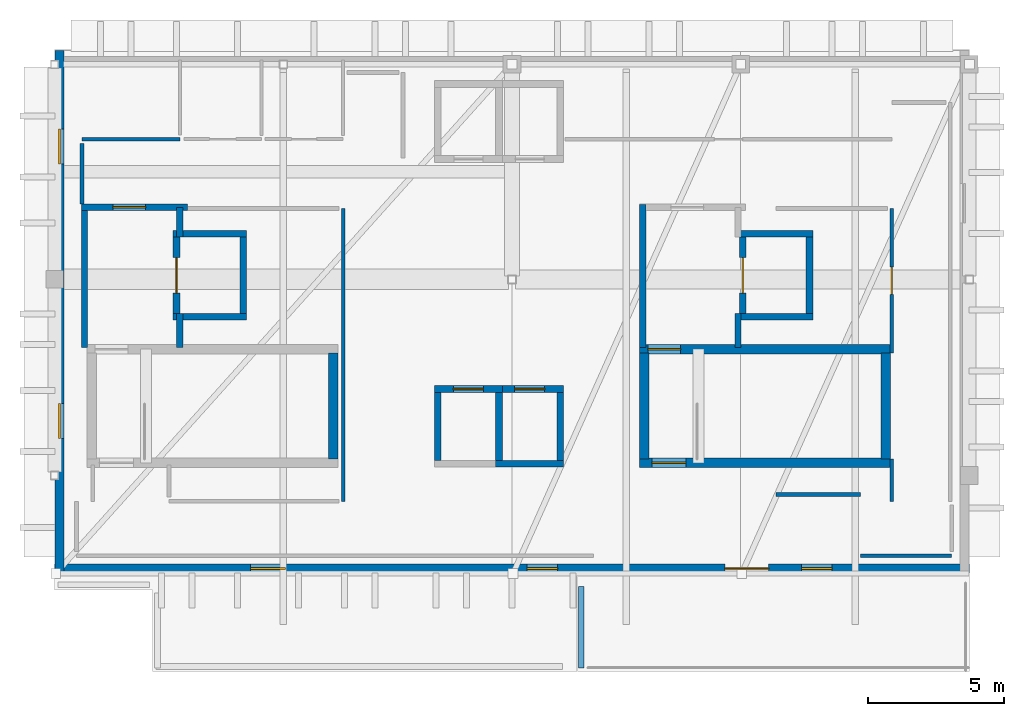
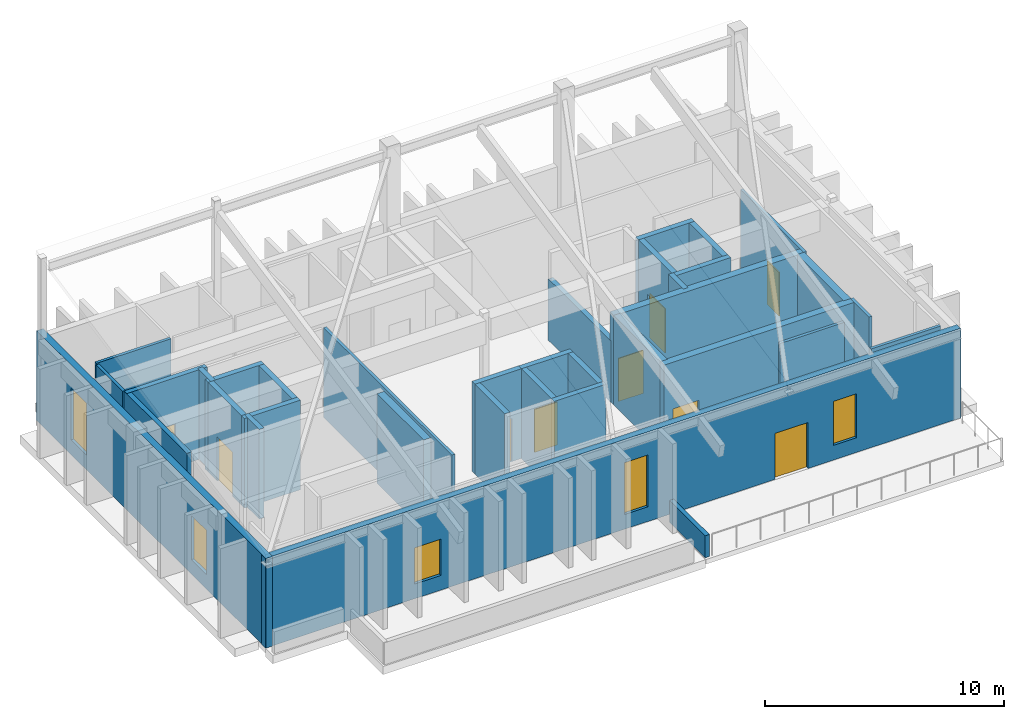
# One storey, part 3 of 5: 35 walls, 9 doors, 5 windows, 14 openings.
"""IFC4 building model written with IfcOpenShell, lengths in metres."""

from ifc_helpers import new_model, si_unit, direction, frame, frame_2d, origin, place, context, subcontext, project, spatial, rectangle, extrude, material, layer, layer_set, type_object, element, fill, save


model = new_model("IFC4")

# Units and contexts
model_context = context("Model", 3, precision=1e-05, world=origin(), true_north=direction((0.0, 1.0)))
body_context = subcontext(model_context, "Body", "Model", "MODEL_VIEW")
ifc_project = project(units=[si_unit("LENGTHUNIT", "METRE"), si_unit("AREAUNIT", "SQUARE_METRE"), si_unit("VOLUMEUNIT", "CUBIC_METRE"), si_unit("PLANEANGLEUNIT", "RADIAN"), si_unit("MASSUNIT", "GRAM", prefix="KILO")], contexts=[model_context])

# Site, building, storey
site_placement = place(None, origin())
site = spatial("IfcSite", under=ifc_project, at=site_placement, CompositionType="ELEMENT")
building_placement = place(site_placement, origin())
building = spatial("IfcBuilding", under=site, at=building_placement, Name="Quendrovan Civic Courthouse", CompositionType="ELEMENT")
storey_placement = place(building_placement, frame((0.0, 0.0, 44.699951171875)))
storey = spatial("IfcBuildingStorey", under=building, at=storey_placement, Name="L10", CompositionType="ELEMENT", Elevation=44.699951171875)

# Wall
ifc_material_1 = material(Name="Acoustic gypsum stud partition")
ifc_layer_1 = layer(ifc_material_1, 0.139892578125, Name="Acoustic gypsum stud partition")
ifc_layer_set_1 = layer_set([ifc_layer_1], Name="Acoustic gypsum stud partition")
wall_type_1 = type_object("IfcWallType", Name="WL-CHM-140", PredefinedType="PARTITIONING", material=ifc_layer_set_1)
wall_1_placement = place(storey_placement, frame((44.199951171875, 104.60009765625, 0.0), z_axis=(0.0, 0.0, 1.0), x_axis=(0.0, -1.0, 0.0)))
element("IfcWall", 1, at=wall_1_placement, inside=storey, type_object=wall_type_1, Name="L10 Presiding Judges' Chambers Partition 0930", PredefinedType="PARTITIONING", context=body_context, shape_type="SweptSolid", body=[
    extrude(rectangle(XDim=10.75, YDim=0.139892578125, at=frame_2d((5.375, 0.0))), origin(), (0.0, 0.0, 1.0), 4.580078125),
])

# Wall, opening, door
wall_2_placement = place(storey_placement, frame((64.35009765625, 104.60009765625, 0.0), z_axis=(0.0, 0.0, 1.0), x_axis=(0.0, -1.0, 0.0)))
wall_2 = element("IfcWall", 2, at=wall_2_placement, inside=storey, type_object=wall_type_1, Name="L10 Presiding Judicial Chambers Suite Partition 0931", PredefinedType="PARTITIONING", context=body_context, shape_type="SweptSolid", body=[
    extrude(rectangle(XDim=5.300048828125, YDim=0.139892578125, at=frame_2d((2.64990234375, 0.0))), origin(), (0.0, 0.0, 1.0), 4.580078125),
])
opening_1_placement = place(wall_2_placement, frame((2.14990234375, 0.0, 0.0)))
opening_1 = element("IfcOpeningElement", 3, at=opening_1_placement, cuts=wall_2, Name="Opening D-L10-133", PredefinedType="OPENING", context=body_context, shape_type="SweptSolid", body=[
    extrude(rectangle(XDim=1.0, YDim=2.219970703125, at=frame_2d((0.5, 1.10986328125))), frame((0.0, 0.080078125, 0.0), z_axis=(0.0, -1.0, 0.0), x_axis=(1.0, 0.0, 0.0)), (0.0, 0.0, 1.0), 0.159912109375),
])
ifc_material_2 = material(Name="Solid Western Red Cedar timber door", Category="wood")
door_type_1 = type_object("IfcDoorType", Name="DR-CHM-1000", OperationType="NOTDEFINED", PredefinedType="DOOR", material=ifc_material_2)
door_1_placement = place(opening_1_placement, origin())
door_1 = element("IfcDoor", 4, at=door_1_placement, inside=storey, type_object=door_type_1, Name="L10 Presiding Judicial Chambers Suite Door D-L10-133", OperationType="SINGLE_SWING_RIGHT", OverallHeight=2.219970703125, OverallWidth=1.0, PredefinedType="DOOR", context=body_context, shape_type="SweptSolid", body=[
    extrude(rectangle(XDim=1.0, YDim=2.219970703125, at=frame_2d((0.5, 1.10986328125))), frame((0.0, 0.02490234375, 0.0), z_axis=(0.0, -1.0, 0.0), x_axis=(1.0, 0.0, 0.0)), (0.0, 0.0, 1.0), 0.050048828125),
])
fill(opening_1, door_1)

# Walls
wall_3_placement = place(storey_placement, frame((64.35009765625, 95.39990234375, 0.0), z_axis=(0.0, 0.0, 1.0), x_axis=(0.0, -1.0, 0.0)))
element("IfcWall", 5, at=wall_3_placement, inside=storey, type_object=wall_type_1, Name="L10 Presiding Judicial Chambers Suite Partition 0932", PredefinedType="PARTITIONING", context=body_context, shape_type="SweptSolid", body=[
    extrude(rectangle(XDim=1.5498046875, YDim=0.139892578125, at=frame_2d((0.77490234375, 0.0))), origin(), (0.0, 0.0, 1.0), 4.580078125),
])
wall_4_placement = place(storey_placement, frame((38.199951171875, 107.14990234375, 0.0), z_axis=(0.0, 0.0, 1.0), x_axis=(-1.0, 0.0, 0.0)))
element("IfcWall", 6, at=wall_4_placement, inside=storey, type_object=wall_type_1, Name="L10 Presiding Judges' Chambers Partition 0936", PredefinedType="PARTITIONING", context=body_context, shape_type="SweptSolid", body=[
    extrude(rectangle(XDim=3.599853515625, YDim=0.139892578125, at=frame_2d((1.7998046875, 0.0))), origin(), (0.0, 0.0, 1.0), 4.580078125),
])
wall_5_placement = place(storey_placement, frame((63.199951171875, 91.85009765625, 0.0), z_axis=(0.0, 0.0, 1.0), x_axis=(1.0, 0.0, 0.0)))
element("IfcWall", 7, at=wall_5_placement, inside=storey, type_object=wall_type_1, Name="L10 Presiding Judges' Chambers Partition 0937", PredefinedType="PARTITIONING", context=body_context, shape_type="SweptSolid", body=[
    extrude(rectangle(XDim=3.35009765625, YDim=0.139892578125, at=frame_2d((1.675048828125, 0.0))), origin(), (0.0, 0.0, 1.0), 4.580078125),
])
wall_6_placement = place(storey_placement, frame((63.199951171875, 94.10009765625, 0.0), z_axis=(0.0, 0.0, 1.0), x_axis=(-1.0, 0.0, 0.0)))
element("IfcWall", 8, at=wall_6_placement, inside=storey, type_object=wall_type_1, Name="L10 Presiding Judicial Chambers Suite Partition 0939", PredefinedType="PARTITIONING", context=body_context, shape_type="SweptSolid", body=[
    extrude(rectangle(XDim=3.099853515625, YDim=0.139892578125, at=frame_2d((1.5498046875, 0.0))), origin(), (0.0, 0.0, 1.0), 4.580078125),
])
wall_7_placement = place(storey_placement, frame((34.60009765625, 107.0, 0.0), z_axis=(0.0, 0.0, 1.0), x_axis=(0.0, -1.0, 0.0)))
element("IfcWall", 9, at=wall_7_placement, inside=storey, type_object=wall_type_1, Name="L10 Presiding Judges' Chambers Partition 0945", PredefinedType="PARTITIONING", context=body_context, shape_type="SweptSolid", body=[
    extrude(rectangle(XDim=2.22998046875, YDim=0.139892578125, at=frame_2d((1.114990234375, 0.0))), origin(), (0.0, 0.0, 1.0), 4.580078125),
])
ifc_material_3 = material(Name="Concrete C45/55", Category="concrete")
ifc_layer_2 = layer(ifc_material_3, 0.35009765625, Name="Concrete C45/55")
ifc_layer_set_2 = layer_set([ifc_layer_2], Name="Concrete C45/55")
wall_type_2 = type_object("IfcWallType", Name="WL-CORE-350", PredefinedType="SHEAR", material=ifc_layer_set_2)
wall_8_placement = place(storey_placement, frame((43.8349609375, 99.300048828125, 0.0), z_axis=(0.0, 0.0, 1.0), x_axis=(0.0, -1.0, 0.0)))
element("IfcWall", 10, at=wall_8_placement, inside=storey, type_object=wall_type_2, Name="L10 Core Shear Wall ST1-E", PredefinedType="SHEAR", context=body_context, shape_type="SweptSolid", body=[
    extrude(rectangle(XDim=3.900146484375, YDim=0.35009765625, at=frame_2d((1.9501953125, 0.0))), origin(), (0.0, 0.0, 1.0), 4.580078125),
])

# Wall, opening, door
wall_9_placement = place(storey_placement, frame((55.090087890625, 95.264892578125, 0.0), z_axis=(0.0, 0.0, 1.0), x_axis=(1.0, 0.0, 0.0)))
wall_9 = element("IfcWall", 11, at=wall_9_placement, inside=storey, type_object=wall_type_2, Name="L10 Core Shear Wall ST2-S", PredefinedType="SHEAR", context=body_context, shape_type="SweptSolid", body=[
    extrude(rectangle(XDim=9.219970703125, YDim=0.35009765625, at=frame_2d((4.60986328125, 0.0))), origin(), (0.0, 0.0, 1.0), 4.580078125),
])
opening_2_placement = place(wall_9_placement, frame((0.449951171875, 0.0, 0.0)))
opening_2 = element("IfcOpeningElement", 12, at=opening_2_placement, cuts=wall_9, Name="Opening DS-ST2-L10", PredefinedType="OPENING", context=body_context, shape_type="SweptSolid", body=[
    extrude(rectangle(XDim=1.25, YDim=2.199951171875, at=frame_2d((0.625, 1.10009765625))), frame((0.0, 0.18505859375, 0.0), z_axis=(0.0, -1.0, 0.0), x_axis=(1.0, 0.0, 0.0)), (0.0, 0.0, 1.0), 0.3701171875),
])
ifc_material_4 = material(Name="Painted galvanized hollow-metal steel", Category="steel")
door_type_2 = type_object("IfcDoorType", Name="DR-STAIR-1250", OperationType="NOTDEFINED", PredefinedType="DOOR", material=ifc_material_4)
door_2_placement = place(opening_2_placement, origin())
door_2 = element("IfcDoor", 13, at=door_2_placement, inside=storey, type_object=door_type_2, Name="L10 Exit Stair ST2 Fire Door", OperationType="SINGLE_SWING_LEFT", OverallHeight=2.199951171875, OverallWidth=1.25, PredefinedType="DOOR", context=body_context, shape_type="SweptSolid", body=[
    extrude(rectangle(XDim=1.25, YDim=2.199951171875, at=frame_2d((0.625, 1.10009765625))), frame((0.0, 0.02490234375, 0.0), z_axis=(0.0, -1.0, 0.0), x_axis=(1.0, 0.0, 0.0)), (0.0, 0.0, 1.0), 0.050048828125),
])
fill(opening_2, door_2)

wall_10_placement = place(storey_placement, frame((64.31005859375, 99.43505859375, 0.0), z_axis=(0.0, 0.0, 1.0), x_axis=(-1.0, 0.0, 0.0)))
wall_10 = element("IfcWall", 14, at=wall_10_placement, inside=storey, type_object=wall_type_2, Name="L10 Core Shear Wall ST2-N", PredefinedType="SHEAR", context=body_context, shape_type="SweptSolid", body=[
    extrude(rectangle(XDim=9.219970703125, YDim=0.35009765625, at=frame_2d((4.60986328125, 0.0))), origin(), (0.0, 0.0, 1.0), 4.580078125),
])
opening_3_placement = place(wall_10_placement, frame((7.719970703125, 0.0, 0.0)))
opening_3 = element("IfcOpeningElement", 15, at=opening_3_placement, cuts=wall_10, Name="Opening DFF-ST2-L10", PredefinedType="OPENING", context=body_context, shape_type="SweptSolid", body=[
    extrude(rectangle(XDim=1.199951171875, YDim=2.199951171875, at=frame_2d((0.60009765625, 1.10009765625))), frame((0.0, 0.18505859375, 0.0), z_axis=(0.0, -1.0, 0.0), x_axis=(1.0, 0.0, 0.0)), (0.0, 0.0, 1.0), 0.3701171875),
])
door_type_3 = type_object("IfcDoorType", Name="DR-FFLOB-1200", OperationType="NOTDEFINED", PredefinedType="DOOR", material=ifc_material_4)
door_3_placement = place(opening_3_placement, origin())
door_3 = element("IfcDoor", 16, at=door_3_placement, inside=storey, type_object=door_type_3, Name="L10 Firefighting Lobby FL2 Direct Stair ST2 Door", OperationType="SINGLE_SWING_RIGHT", OverallHeight=2.199951171875, OverallWidth=1.199951171875, PredefinedType="DOOR", context=body_context, shape_type="SweptSolid", body=[
    extrude(rectangle(XDim=1.199951171875, YDim=2.199951171875, at=frame_2d((0.60009765625, 1.10009765625))), frame((0.0, 0.02490234375, 0.0), z_axis=(0.0, -1.0, 0.0), x_axis=(1.0, 0.0, 0.0)), (0.0, 0.0, 1.0), 0.050048828125),
])
fill(opening_3, door_3)

# Walls
for number, where, z_axis, x_axis, name in (
    (17, (55.264892578125, 95.39990234375, 0.0), (0.0, 0.0, 1.0), (0.0, 1.0, 0.0), "L10 Core Shear Wall ST2-W"),
    (18, (64.135009765625, 99.300048828125, 0.0), (0.0, 0.0, 1.0), (0.0, -1.0, 0.0), "L10 Core Shear Wall ST2-E"),
):
    element("IfcWall", number, at=place(storey_placement, frame(where, z_axis=z_axis, x_axis=x_axis)), inside=storey, type_object=wall_type_2, Name=name, PredefinedType="SHEAR", context=body_context, shape_type="SweptSolid", body=[
        extrude(rectangle(XDim=3.900146484375, YDim=0.35009765625, at=frame_2d((1.9501953125, 0.0))), origin(), (0.0, 0.0, 1.0), 4.580078125),
    ])

# Wall, openings, door, windows
ifc_material_5 = material(Name="Precast concrete C45/55", Category="concrete")
ifc_layer_3 = layer(ifc_material_5, 0.320068359375, Name="Precast concrete C45/55")
ifc_layer_set_3 = layer_set([ifc_layer_3], Name="Precast concrete C45/55")
wall_type_3 = type_object("IfcWallType", Name="WL-EXT-PC320", PredefinedType="SOLIDWALL", material=ifc_layer_set_3)
wall_11_placement = place(storey_placement, frame((67.199951171875, 91.3798828125, 0.0), z_axis=(0.0, 0.0, 1.0), x_axis=(-1.0, 0.0, 0.0)))
wall_11 = element("IfcWall", 19, at=wall_11_placement, inside=storey, type_object=wall_type_3, Name="L10 Exterior Precast Concrete Wall 531", PredefinedType="SOLIDWALL", context=body_context, shape_type="SweptSolid", body=[
    extrude(rectangle(XDim=33.599853515625, YDim=0.320068359375, at=frame_2d((16.7998046875, 0.0))), origin(), (0.0, 0.0, 1.0), 4.580078125),
])
opening_4_placement = place(wall_11_placement, frame((7.377197265625, 0.0, 0.0)))
opening_4 = element("IfcOpeningElement", 20, at=opening_4_placement, cuts=wall_11, Name="Opening DT-L10-1", PredefinedType="OPENING", context=body_context, shape_type="SweptSolid", body=[
    extrude(rectangle(XDim=1.60009765625, YDim=2.35009765625, at=frame_2d((0.800048828125, 1.175048828125))), frame((0.0, 0.169921875, 0.0), z_axis=(0.0, -1.0, 0.0), x_axis=(1.0, 0.0, 0.0)), (0.0, 0.0, 1.0), 0.340087890625),
])
opening_5_placement = place(wall_11_placement, frame((5.0400390625, 0.0, 0.75)))
opening_5 = element("IfcOpeningElement", 21, at=opening_5_placement, cuts=wall_11, Name="Opening W17", PredefinedType="OPENING", context=body_context, shape_type="SweptSolid", body=[
    extrude(rectangle(XDim=1.1201171875, YDim=2.25, at=frame_2d((0.56005859375, 1.125))), frame((0.0, 0.169921875, 0.0), z_axis=(0.0, -1.0, 0.0), x_axis=(1.0, 0.0, 0.0)), (0.0, 0.0, 1.0), 0.340087890625),
])
opening_6_placement = place(wall_11_placement, frame((15.1201171875, 0.0, 0.75)))
opening_6 = element("IfcOpeningElement", 22, at=opening_6_placement, cuts=wall_11, Name="Opening W18", PredefinedType="OPENING", context=body_context, shape_type="SweptSolid", body=[
    extrude(rectangle(XDim=1.1201171875, YDim=2.64990234375, at=frame_2d((0.56005859375, 1.324951171875))), frame((0.0, 0.169921875, 0.0), z_axis=(0.0, -1.0, 0.0), x_axis=(1.0, 0.0, 0.0)), (0.0, 0.0, 1.0), 0.340087890625),
])
opening_7_placement = place(wall_11_placement, frame((25.1201171875, 0.0, 0.75)))
opening_7 = element("IfcOpeningElement", 23, at=opening_7_placement, cuts=wall_11, Name="Opening W21", PredefinedType="OPENING", context=body_context, shape_type="SweptSolid", body=[
    extrude(rectangle(XDim=1.280029296875, YDim=1.85009765625, at=frame_2d((0.64013671875, 0.925048828125))), frame((0.0, 0.169921875, 0.0), z_axis=(0.0, -1.0, 0.0), x_axis=(1.0, 0.0, 0.0)), (0.0, 0.0, 1.0), 0.340087890625),
])
ifc_material_6 = material(Name="Bronze anodised aluminium and low-E glass", Category="aluminium")
door_type_4 = type_object("IfcDoorType", Name="DR-TER-1600", OperationType="NOTDEFINED", PredefinedType="DOOR", material=ifc_material_6)
door_4_placement = place(opening_4_placement, origin())
door_4 = element("IfcDoor", 24, at=door_4_placement, inside=storey, type_object=door_type_4, Name="L10 Judicial Terrace Door DT-L10-1", OperationType="SINGLE_SWING_LEFT", OverallHeight=2.35009765625, OverallWidth=1.60009765625, PredefinedType="DOOR", context=body_context, shape_type="SweptSolid", body=[
    extrude(rectangle(XDim=1.60009765625, YDim=2.35009765625, at=frame_2d((0.800048828125, 1.175048828125))), frame((0.0, 0.02490234375, 0.0), z_axis=(0.0, -1.0, 0.0), x_axis=(1.0, 0.0, 0.0)), (0.0, 0.0, 1.0), 0.050048828125),
])
fill(opening_4, door_4)
ifc_material_7 = material(Name="Laminated hurricane-impact low-E glass", Category="glass")
window_type_1 = type_object("IfcWindowType", Name="WIN-SLT-17", PartitioningType="SINGLE_PANEL", PredefinedType="WINDOW", material=ifc_material_7)
window_1_placement = place(opening_5_placement, origin())
window_1 = element("IfcWindow", 25, at=window_1_placement, inside=storey, type_object=window_type_1, Name="L10 Courtroom Shaded Slot Window 0065", OverallHeight=2.25, OverallWidth=1.1201171875, PartitioningType="SINGLE_PANEL", PredefinedType="WINDOW", context=body_context, shape_type="SweptSolid", body=[
    extrude(rectangle(XDim=1.1201171875, YDim=2.25, at=frame_2d((0.56005859375, 1.125))), frame((0.0, 0.030029296875, 0.0), z_axis=(0.0, -1.0, 0.0), x_axis=(1.0, 0.0, 0.0)), (0.0, 0.0, 1.0), 0.06005859375),
])
fill(opening_5, window_1)
window_type_2 = type_object("IfcWindowType", Name="WIN-SLT-18", PartitioningType="SINGLE_PANEL", PredefinedType="WINDOW", material=ifc_material_7)
window_2_placement = place(opening_6_placement, origin())
window_2 = element("IfcWindow", 26, at=window_2_placement, inside=storey, type_object=window_type_2, Name="L10 Courtroom Shaded Slot Window 0066", OverallHeight=2.64990234375, OverallWidth=1.1201171875, PartitioningType="SINGLE_PANEL", PredefinedType="WINDOW", context=body_context, shape_type="SweptSolid", body=[
    extrude(rectangle(XDim=1.1201171875, YDim=2.64990234375, at=frame_2d((0.56005859375, 1.324951171875))), frame((0.0, 0.030029296875, 0.0), z_axis=(0.0, -1.0, 0.0), x_axis=(1.0, 0.0, 0.0)), (0.0, 0.0, 1.0), 0.06005859375),
])
fill(opening_6, window_2)
window_type_3 = type_object("IfcWindowType", Name="WIN-SLT-21", PartitioningType="SINGLE_PANEL", PredefinedType="WINDOW", material=ifc_material_7)
window_3_placement = place(opening_7_placement, origin())
window_3 = element("IfcWindow", 27, at=window_3_placement, inside=storey, type_object=window_type_3, Name="L10 Courtroom Shaded Slot Window 0067", OverallHeight=1.85009765625, OverallWidth=1.280029296875, PartitioningType="SINGLE_PANEL", PredefinedType="WINDOW", context=body_context, shape_type="SweptSolid", body=[
    extrude(rectangle(XDim=1.280029296875, YDim=1.85009765625, at=frame_2d((0.64013671875, 0.925048828125))), frame((0.0, 0.030029296875, 0.0), z_axis=(0.0, -1.0, 0.0), x_axis=(1.0, 0.0, 0.0)), (0.0, 0.0, 1.0), 0.06005859375),
])
fill(opening_7, window_3)

# Wall, openings, windows
wall_12_placement = place(storey_placement, frame((33.780029296875, 91.199951171875, 0.0), z_axis=(0.0, 0.0, 1.0), x_axis=(0.0, 1.0, 0.0)))
wall_12 = element("IfcWall", 28, at=wall_12_placement, inside=storey, type_object=wall_type_3, Name="L10 Exterior Precast Concrete Wall 532", PredefinedType="SOLIDWALL", context=body_context, shape_type="SweptSolid", body=[
    extrude(rectangle(XDim=19.199951171875, YDim=0.320068359375, at=frame_2d((9.60009765625, 0.0))), origin(), (0.0, 0.0, 1.0), 4.580078125),
])
opening_8_placement = place(wall_12_placement, frame((4.9599609375, 0.0, 0.75)))
opening_8 = element("IfcOpeningElement", 29, at=opening_8_placement, cuts=wall_12, Name="Opening W22", PredefinedType="OPENING", context=body_context, shape_type="SweptSolid", body=[
    extrude(rectangle(XDim=1.280029296875, YDim=2.25, at=frame_2d((0.64013671875, 1.125))), frame((0.0, 0.169921875, 0.0), z_axis=(0.0, -1.0, 0.0), x_axis=(1.0, 0.0, 0.0)), (0.0, 0.0, 1.0), 0.340087890625),
])
opening_9_placement = place(wall_12_placement, frame((15.0400390625, 0.0, 0.75)))
opening_9 = element("IfcOpeningElement", 30, at=opening_9_placement, cuts=wall_12, Name="Opening W23", PredefinedType="OPENING", context=body_context, shape_type="SweptSolid", body=[
    extrude(rectangle(XDim=1.280029296875, YDim=2.64990234375, at=frame_2d((0.64013671875, 1.324951171875))), frame((0.0, 0.169921875, 0.0), z_axis=(0.0, -1.0, 0.0), x_axis=(1.0, 0.0, 0.0)), (0.0, 0.0, 1.0), 0.340087890625),
])
window_type_4 = type_object("IfcWindowType", Name="WIN-SLT-22", PartitioningType="SINGLE_PANEL", PredefinedType="WINDOW", material=ifc_material_7)
window_4_placement = place(opening_8_placement, origin())
window_4 = element("IfcWindow", 31, at=window_4_placement, inside=storey, type_object=window_type_4, Name="L10 Courtroom Shaded Slot Window 0068", OverallHeight=2.25, OverallWidth=1.280029296875, PartitioningType="SINGLE_PANEL", PredefinedType="WINDOW", context=body_context, shape_type="SweptSolid", body=[
    extrude(rectangle(XDim=1.280029296875, YDim=2.25, at=frame_2d((0.64013671875, 1.125))), frame((0.0, 0.030029296875, 0.0), z_axis=(0.0, -1.0, 0.0), x_axis=(1.0, 0.0, 0.0)), (0.0, 0.0, 1.0), 0.06005859375),
])
fill(opening_8, window_4)
window_type_5 = type_object("IfcWindowType", Name="WIN-SLT-23", PartitioningType="SINGLE_PANEL", PredefinedType="WINDOW", material=ifc_material_7)
window_5_placement = place(opening_9_placement, origin())
window_5 = element("IfcWindow", 32, at=window_5_placement, inside=storey, type_object=window_type_5, Name="L10 Courtroom Shaded Slot Window 0069", OverallHeight=2.64990234375, OverallWidth=1.280029296875, PartitioningType="SINGLE_PANEL", PredefinedType="WINDOW", context=body_context, shape_type="SweptSolid", body=[
    extrude(rectangle(XDim=1.280029296875, YDim=2.64990234375, at=frame_2d((0.64013671875, 1.324951171875))), frame((0.0, 0.030029296875, 0.0), z_axis=(0.0, -1.0, 0.0), x_axis=(1.0, 0.0, 0.0)), (0.0, 0.0, 1.0), 0.06005859375),
])
fill(opening_9, window_5)

# Wall, opening, door
ifc_material_8 = material(Name="Concrete C40/50", Category="concrete")
ifc_layer_4 = layer(ifc_material_8, 0.22998046875, Name="Concrete C40/50")
ifc_layer_set_4 = layer_set([ifc_layer_4], Name="Concrete C40/50")
wall_type_4 = type_object("IfcWallType", Name="WL-FFLOB-230", PredefinedType="PARTITIONING", material=ifc_layer_set_4)
wall_13_placement = place(storey_placement, frame((34.590087890625, 104.64990234375, 0.0), z_axis=(0.0, 0.0, 1.0), x_axis=(1.0, 0.0, 0.0)))
wall_13 = element("IfcWall", 33, at=wall_13_placement, inside=storey, type_object=wall_type_4, Name="L10 Firefighting Lift Lobby FL1 Wall N", PredefinedType="PARTITIONING", context=body_context, shape_type="SweptSolid", body=[
    extrude(rectangle(XDim=3.889892578125, YDim=0.22998046875, at=frame_2d((1.94482421875, 0.0))), origin(), (0.0, 0.0, 1.0), 4.580078125),
])
opening_10_placement = place(wall_13_placement, frame((1.14990234375, 0.0, 0.0)))
opening_10 = element("IfcOpeningElement", 34, at=opening_10_placement, cuts=wall_13, Name="Opening DF-FL1-L10N", PredefinedType="OPENING", context=body_context, shape_type="SweptSolid", body=[
    extrude(rectangle(XDim=1.199951171875, YDim=2.199951171875, at=frame_2d((0.60009765625, 1.10009765625))), frame((0.0, 0.125, 0.0), z_axis=(0.0, -1.0, 0.0), x_axis=(1.0, 0.0, 0.0)), (0.0, 0.0, 1.0), 0.25),
])
door_5_placement = place(opening_10_placement, origin())
door_5 = element("IfcDoor", 35, at=door_5_placement, inside=storey, type_object=door_type_3, Name="L10 Firefighting Lobby FL1 Fire Door N", OperationType="SINGLE_SWING_LEFT", OverallHeight=2.199951171875, OverallWidth=1.199951171875, PredefinedType="DOOR", context=body_context, shape_type="SweptSolid", body=[
    extrude(rectangle(XDim=1.199951171875, YDim=2.199951171875, at=frame_2d((0.60009765625, 1.10009765625))), frame((0.0, 0.02490234375, 0.0), z_axis=(0.0, -1.0, 0.0), x_axis=(1.0, 0.0, 0.0)), (0.0, 0.0, 1.0), 0.050048828125),
])
fill(opening_10, door_5)

# Walls
wall_14_placement = place(storey_placement, frame((34.699951171875, 99.5, 0.0), z_axis=(0.0, 0.0, 1.0), x_axis=(0.0, 1.0, 0.0)))
element("IfcWall", 36, at=wall_14_placement, inside=storey, type_object=wall_type_4, Name="L10 Firefighting Lift Lobby FL1 Wall W", PredefinedType="PARTITIONING", context=body_context, shape_type="SweptSolid", body=[
    extrude(rectangle(XDim=5.260009765625, YDim=0.22998046875, at=frame_2d((2.6298828125, 0.0))), origin(), (0.0, 0.0, 1.0), 4.580078125),
])
wall_15_placement = place(storey_placement, frame((38.199951171875, 104.64990234375, 0.0), z_axis=(0.0, 0.0, 1.0), x_axis=(0.0, -1.0, 0.0)))
element("IfcWall", 37, at=wall_15_placement, inside=storey, type_object=wall_type_4, Name="L10 Firefighting Lift Lobby FL1 Wall EN", PredefinedType="PARTITIONING", context=body_context, shape_type="SweptSolid", body=[
    extrude(rectangle(XDim=1.099853515625, YDim=0.22998046875, at=frame_2d((0.5498046875, 0.0))), origin(), (0.0, 0.0, 1.0), 4.580078125),
])
wall_16_placement = place(storey_placement, frame((38.199951171875, 100.75, 0.0), z_axis=(0.0, 0.0, 1.0), x_axis=(0.0, -1.0, 0.0)))
element("IfcWall", 38, at=wall_16_placement, inside=storey, type_object=wall_type_4, Name="L10 Firefighting Lift Lobby FL1 Wall ES", PredefinedType="PARTITIONING", context=body_context, shape_type="SweptSolid", body=[
    extrude(rectangle(XDim=1.25, YDim=0.22998046875, at=frame_2d((0.625, 0.0))), origin(), (0.0, 0.0, 1.0), 4.580078125),
])
wall_17_placement = place(storey_placement, frame((55.199951171875, 99.5, 0.0), z_axis=(0.0, 0.0, 1.0), x_axis=(0.0, 1.0, 0.0)))
element("IfcWall", 39, at=wall_17_placement, inside=storey, type_object=wall_type_4, Name="L10 Firefighting Lift Lobby FL2 Wall W", PredefinedType="PARTITIONING", context=body_context, shape_type="SweptSolid", body=[
    extrude(rectangle(XDim=5.260009765625, YDim=0.22998046875, at=frame_2d((2.6298828125, 0.0))), origin(), (0.0, 0.0, 1.0), 3.14013671875),
])
wall_18_placement = place(storey_placement, frame((58.699951171875, 100.75, 0.0), z_axis=(0.0, 0.0, 1.0), x_axis=(0.0, -1.0, 0.0)))
element("IfcWall", 40, at=wall_18_placement, inside=storey, type_object=wall_type_4, Name="L10 Firefighting Lift Lobby FL2 Wall ES", PredefinedType="PARTITIONING", context=body_context, shape_type="SweptSolid", body=[
    extrude(rectangle(XDim=1.25, YDim=0.22998046875, at=frame_2d((0.625, 0.0))), origin(), (0.0, 0.0, 1.0), 4.580078125),
])
ifc_layer_5 = layer(ifc_material_5, 0.2099609375, Name="Precast concrete C45/55")
ifc_layer_set_5 = layer_set([ifc_layer_5], Name="Precast concrete C45/55")
wall_type_5 = type_object("IfcWallType", Name="WL-PARAPET-210", PredefinedType="PARAPET", material=ifc_layer_set_5)
wall_19_placement = place(storey_placement, frame((52.93994140625, 90.719970703125, 0.0), z_axis=(0.0, 0.0, 1.0), x_axis=(0.0, -1.0, 0.0)))
element("IfcWall", 41, at=wall_19_placement, inside=storey, type_object=wall_type_5, Name="L10 Terrace-to-Roof Dividing Parapet Wall 07", PredefinedType="PARAPET", context=body_context, shape_type="SweptSolid", body=[
    extrude(rectangle(XDim=2.989990234375, YDim=0.2099609375, at=frame_2d((1.4951171875, 0.0))), origin(), (0.0, 0.0, 1.0), 1.1201171875),
])

# Wall, opening, door
ifc_layer_6 = layer(ifc_material_3, 0.25, Name="Concrete C45/55")
ifc_layer_set_6 = layer_set([ifc_layer_6], Name="Concrete C45/55")
wall_type_6 = type_object("IfcWallType", Name="WL-SHAFT-250", PredefinedType="SHEAR", material=ifc_layer_set_6)
wall_20_placement = place(storey_placement, frame((50.050048828125, 97.97509765625, 0.0), z_axis=(0.0, 0.0, 1.0), x_axis=(-1.0, 0.0, 0.0)))
wall_20 = element("IfcWall", 42, at=wall_20_placement, inside=storey, type_object=wall_type_6, Name="L10 Lift Hoistway Wall PL3 +Y", PredefinedType="SHEAR", context=body_context, shape_type="SweptSolid", body=[
    extrude(rectangle(XDim=2.5, YDim=0.25, at=frame_2d((1.25, 0.0))), origin(), (0.0, 0.0, 1.0), 4.580078125),
])
opening_11_placement = place(wall_20_placement, frame((0.699951171875, 0.0, 0.0)))
opening_11 = element("IfcOpeningElement", 43, at=opening_11_placement, cuts=wall_20, Name="Opening LD-PL3-L10", PredefinedType="OPENING", context=body_context, shape_type="SweptSolid", body=[
    extrude(rectangle(XDim=1.10009765625, YDim=2.199951171875, at=frame_2d((0.550048828125, 1.10009765625))), frame((0.0, 0.135009765625, 0.0), z_axis=(0.0, -1.0, 0.0), x_axis=(1.0, 0.0, 0.0)), (0.0, 0.0, 1.0), 0.27001953125),
])
ifc_material_9 = material(Name="Brushed bronze-anodised stainless steel", Category="steel")
door_type_5 = type_object("IfcDoorType", Name="DR-LIFT-LD-PL", OperationType="NOTDEFINED", PredefinedType="DOOR", material=ifc_material_9)
door_6_placement = place(opening_11_placement, origin())
door_6 = element("IfcDoor", 44, at=door_6_placement, inside=storey, type_object=door_type_5, Name="L10 Lift PL3 Sliding Landing Door", OperationType="SLIDING_TO_LEFT", OverallHeight=2.199951171875, OverallWidth=1.10009765625, PredefinedType="DOOR", context=body_context, shape_type="SweptSolid", body=[
    extrude(rectangle(XDim=1.10009765625, YDim=2.199951171875, at=frame_2d((0.550048828125, 1.10009765625))), frame((0.0, 0.02490234375, 0.0), z_axis=(0.0, -1.0, 0.0), x_axis=(1.0, 0.0, 0.0)), (0.0, 0.0, 1.0), 0.050048828125),
])
fill(opening_11, door_6)

# Walls
for number, where, z_axis, x_axis, name in (
    (45, (47.675048828125, 95.35009765625, 0.0), (0.0, 0.0, 1.0), (0.0, 1.0, 0.0), "L10 Lift Hoistway Wall PL3 -X"),
    (46, (49.925048828125, 97.85009765625, 0.0), (0.0, 0.0, 1.0), (0.0, -1.0, 0.0), "L10 Lift Hoistway Wall PL3 +X"),
    (47, (49.800048828125, 95.22509765625, 0.0), (0.0, 0.0, 1.0), (1.0, 0.0, 0.0), "L10 Lift Hoistway Wall PL4 -Y"),
):
    element("IfcWall", number, at=place(storey_placement, frame(where, z_axis=z_axis, x_axis=x_axis)), inside=storey, type_object=wall_type_6, Name=name, PredefinedType="SHEAR", context=body_context, shape_type="SweptSolid", body=[
        extrude(rectangle(XDim=2.5, YDim=0.25, at=frame_2d((1.25, 0.0))), origin(), (0.0, 0.0, 1.0), 4.580078125),
    ])

# Wall, opening, door
wall_21_placement = place(storey_placement, frame((52.300048828125, 97.97509765625, 0.0), z_axis=(0.0, 0.0, 1.0), x_axis=(-1.0, 0.0, 0.0)))
wall_21 = element("IfcWall", 48, at=wall_21_placement, inside=storey, type_object=wall_type_6, Name="L10 Lift Hoistway Wall PL4 +Y", PredefinedType="SHEAR", context=body_context, shape_type="SweptSolid", body=[
    extrude(rectangle(XDim=2.5, YDim=0.25, at=frame_2d((1.25, 0.0))), origin(), (0.0, 0.0, 1.0), 4.580078125),
])
opening_12_placement = place(wall_21_placement, frame((0.699951171875, 0.0, 0.0)))
opening_12 = element("IfcOpeningElement", 49, at=opening_12_placement, cuts=wall_21, Name="Opening LD-PL4-L10", PredefinedType="OPENING", context=body_context, shape_type="SweptSolid", body=[
    extrude(rectangle(XDim=1.10009765625, YDim=2.199951171875, at=frame_2d((0.550048828125, 1.10009765625))), frame((0.0, 0.135009765625, 0.0), z_axis=(0.0, -1.0, 0.0), x_axis=(1.0, 0.0, 0.0)), (0.0, 0.0, 1.0), 0.27001953125),
])
door_7_placement = place(opening_12_placement, origin())
door_7 = element("IfcDoor", 50, at=door_7_placement, inside=storey, type_object=door_type_5, Name="L10 Lift PL4 Sliding Landing Door", OperationType="SLIDING_TO_LEFT", OverallHeight=2.199951171875, OverallWidth=1.10009765625, PredefinedType="DOOR", context=body_context, shape_type="SweptSolid", body=[
    extrude(rectangle(XDim=1.10009765625, YDim=2.199951171875, at=frame_2d((0.550048828125, 1.10009765625))), frame((0.0, 0.02490234375, 0.0), z_axis=(0.0, -1.0, 0.0), x_axis=(1.0, 0.0, 0.0)), (0.0, 0.0, 1.0), 0.050048828125),
])
fill(opening_12, door_7)

# Walls
wall_22_placement = place(storey_placement, frame((52.175048828125, 97.85009765625, 0.0), z_axis=(0.0, 0.0, 1.0), x_axis=(0.0, -1.0, 0.0)))
element("IfcWall", 51, at=wall_22_placement, inside=storey, type_object=wall_type_6, Name="L10 Lift Hoistway Wall PL4 +X", PredefinedType="SHEAR", context=body_context, shape_type="SweptSolid", body=[
    extrude(rectangle(XDim=2.5, YDim=0.25, at=frame_2d((1.25, 0.0))), origin(), (0.0, 0.0, 1.0), 4.580078125),
])
for number, where, z_axis, x_axis, name in (
    (52, (37.949951171875, 100.625, 0.0), (0.0, 0.0, 1.0), (1.0, 0.0, 0.0), "L10 Lift Hoistway Wall FL1 -Y"),
    (53, (40.64990234375, 103.675048828125, 0.0), (0.0, 0.0, 1.0), (-1.0, 0.0, 0.0), "L10 Lift Hoistway Wall FL1 +Y"),
):
    element("IfcWall", number, at=place(storey_placement, frame(where, z_axis=z_axis, x_axis=x_axis)), inside=storey, type_object=wall_type_6, Name=name, PredefinedType="SHEAR", context=body_context, shape_type="SweptSolid", body=[
        extrude(rectangle(XDim=2.699951171875, YDim=0.25, at=frame_2d((1.35009765625, 0.0))), origin(), (0.0, 0.0, 1.0), 4.580078125),
    ])

# Wall, opening, door
wall_23_placement = place(storey_placement, frame((38.074951171875, 100.75, 0.0), z_axis=(0.0, 0.0, 1.0), x_axis=(0.0, 1.0, 0.0)))
wall_23 = element("IfcWall", 54, at=wall_23_placement, inside=storey, type_object=wall_type_6, Name="L10 Lift Hoistway Wall FL1 -X", PredefinedType="SHEAR", context=body_context, shape_type="SweptSolid", body=[
    extrude(rectangle(XDim=2.800048828125, YDim=0.25, at=frame_2d((1.39990234375, 0.0))), origin(), (0.0, 0.0, 1.0), 4.580078125),
])
opening_13_placement = place(wall_23_placement, frame((0.75, 0.0, 0.0)))
opening_13 = element("IfcOpeningElement", 55, at=opening_13_placement, cuts=wall_23, Name="Opening LD-FL1-L10", PredefinedType="OPENING", context=body_context, shape_type="SweptSolid", body=[
    extrude(rectangle(XDim=1.300048828125, YDim=2.25, at=frame_2d((0.64990234375, 1.125))), frame((0.0, 0.135009765625, 0.0), z_axis=(0.0, -1.0, 0.0), x_axis=(1.0, 0.0, 0.0)), (0.0, 0.0, 1.0), 0.27001953125),
])
ifc_material_10 = material(Name="Smoke-tight fire-service stainless steel", Category="steel")
door_type_6 = type_object("IfcDoorType", Name="DR-LIFT-LD-FL", OperationType="NOTDEFINED", PredefinedType="DOOR", material=ifc_material_10)
door_8_placement = place(opening_13_placement, origin())
door_8 = element("IfcDoor", 56, at=door_8_placement, inside=storey, type_object=door_type_6, Name="L10 Lift FL1 Sliding Landing Door", OperationType="SLIDING_TO_LEFT", OverallHeight=2.25, OverallWidth=1.300048828125, PredefinedType="DOOR", context=body_context, shape_type="SweptSolid", body=[
    extrude(rectangle(XDim=1.300048828125, YDim=2.25, at=frame_2d((0.64990234375, 1.125))), frame((0.0, 0.02490234375, 0.0), z_axis=(0.0, -1.0, 0.0), x_axis=(1.0, 0.0, 0.0)), (0.0, 0.0, 1.0), 0.050048828125),
])
fill(opening_13, door_8)

# Walls
wall_24_placement = place(storey_placement, frame((40.52490234375, 103.550048828125, 0.0), z_axis=(0.0, 0.0, 1.0), x_axis=(0.0, -1.0, 0.0)))
element("IfcWall", 57, at=wall_24_placement, inside=storey, type_object=wall_type_6, Name="L10 Lift Hoistway Wall FL1 +X", PredefinedType="SHEAR", context=body_context, shape_type="SweptSolid", body=[
    extrude(rectangle(XDim=2.800048828125, YDim=0.25, at=frame_2d((1.39990234375, 0.0))), origin(), (0.0, 0.0, 1.0), 4.580078125),
])
for number, where, z_axis, x_axis, name in (
    (58, (58.75, 100.625, 0.0), (0.0, 0.0, 1.0), (1.0, 0.0, 0.0), "L10 Lift Hoistway Wall FL2 -Y"),
    (59, (61.449951171875, 103.675048828125, 0.0), (0.0, 0.0, 1.0), (-1.0, 0.0, 0.0), "L10 Lift Hoistway Wall FL2 +Y"),
):
    element("IfcWall", number, at=place(storey_placement, frame(where, z_axis=z_axis, x_axis=x_axis)), inside=storey, type_object=wall_type_6, Name=name, PredefinedType="SHEAR", context=body_context, shape_type="SweptSolid", body=[
        extrude(rectangle(XDim=2.699951171875, YDim=0.25, at=frame_2d((1.35009765625, 0.0))), origin(), (0.0, 0.0, 1.0), 4.580078125),
    ])

# Wall, opening, door
wall_25_placement = place(storey_placement, frame((58.875, 100.75, 0.0), z_axis=(0.0, 0.0, 1.0), x_axis=(0.0, 1.0, 0.0)))
wall_25 = element("IfcWall", 60, at=wall_25_placement, inside=storey, type_object=wall_type_6, Name="L10 Lift Hoistway Wall FL2 -X", PredefinedType="SHEAR", context=body_context, shape_type="SweptSolid", body=[
    extrude(rectangle(XDim=2.800048828125, YDim=0.25, at=frame_2d((1.39990234375, 0.0))), origin(), (0.0, 0.0, 1.0), 4.580078125),
])
opening_14_placement = place(wall_25_placement, frame((0.75, 0.0, 0.0)))
opening_14 = element("IfcOpeningElement", 61, at=opening_14_placement, cuts=wall_25, Name="Opening LD-FL2-L10", PredefinedType="OPENING", context=body_context, shape_type="SweptSolid", body=[
    extrude(rectangle(XDim=1.300048828125, YDim=2.25, at=frame_2d((0.64990234375, 1.125))), frame((0.0, 0.135009765625, 0.0), z_axis=(0.0, -1.0, 0.0), x_axis=(1.0, 0.0, 0.0)), (0.0, 0.0, 1.0), 0.27001953125),
])
door_9_placement = place(opening_14_placement, origin())
door_9 = element("IfcDoor", 62, at=door_9_placement, inside=storey, type_object=door_type_6, Name="L10 Lift FL2 Sliding Landing Door", OperationType="SLIDING_TO_LEFT", OverallHeight=2.25, OverallWidth=1.300048828125, PredefinedType="DOOR", context=body_context, shape_type="SweptSolid", body=[
    extrude(rectangle(XDim=1.300048828125, YDim=2.25, at=frame_2d((0.64990234375, 1.125))), frame((0.0, 0.02490234375, 0.0), z_axis=(0.0, -1.0, 0.0), x_axis=(1.0, 0.0, 0.0)), (0.0, 0.0, 1.0), 0.050048828125),
])
fill(opening_14, door_9)

# Wall
wall_26_placement = place(storey_placement, frame((61.324951171875, 103.550048828125, 0.0), z_axis=(0.0, 0.0, 1.0), x_axis=(0.0, -1.0, 0.0)))
element("IfcWall", 63, at=wall_26_placement, inside=storey, type_object=wall_type_6, Name="L10 Lift Hoistway Wall FL2 +X", PredefinedType="SHEAR", context=body_context, shape_type="SweptSolid", body=[
    extrude(rectangle(XDim=2.800048828125, YDim=0.25, at=frame_2d((1.39990234375, 0.0))), origin(), (0.0, 0.0, 1.0), 4.580078125),
])

save(model, "model.ifc")
